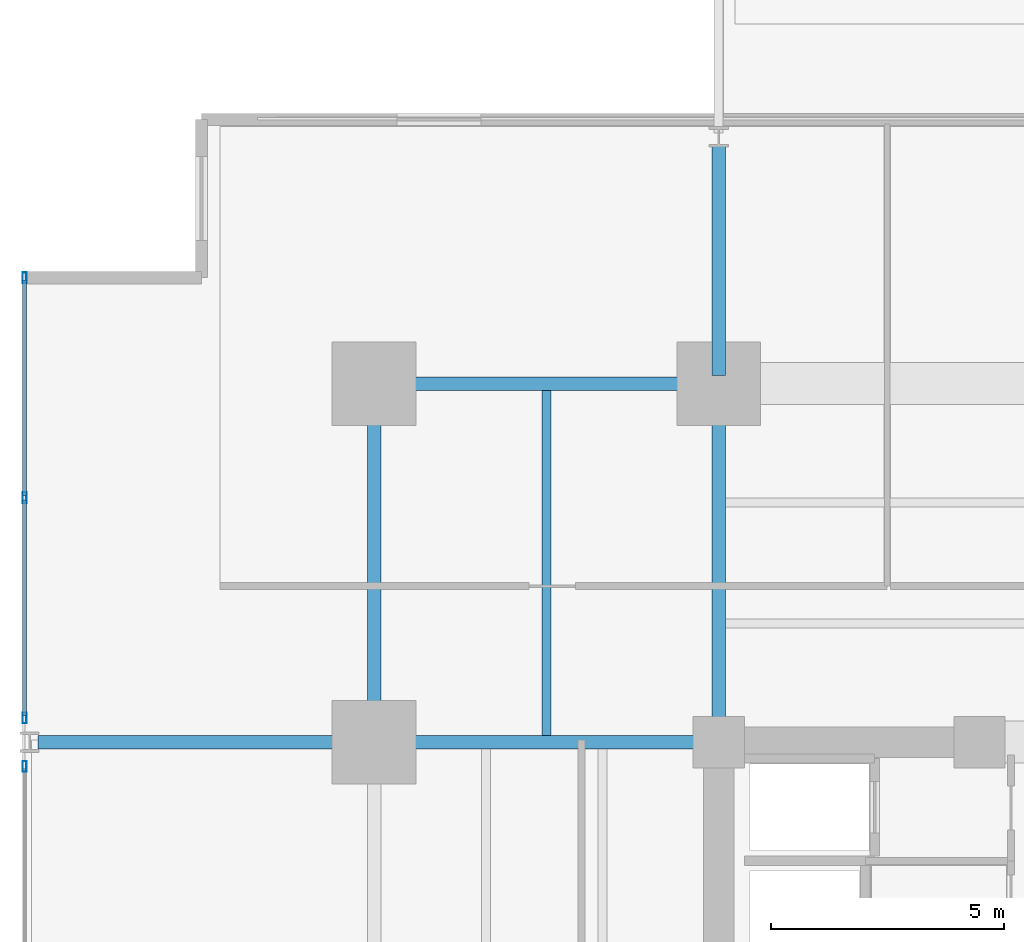
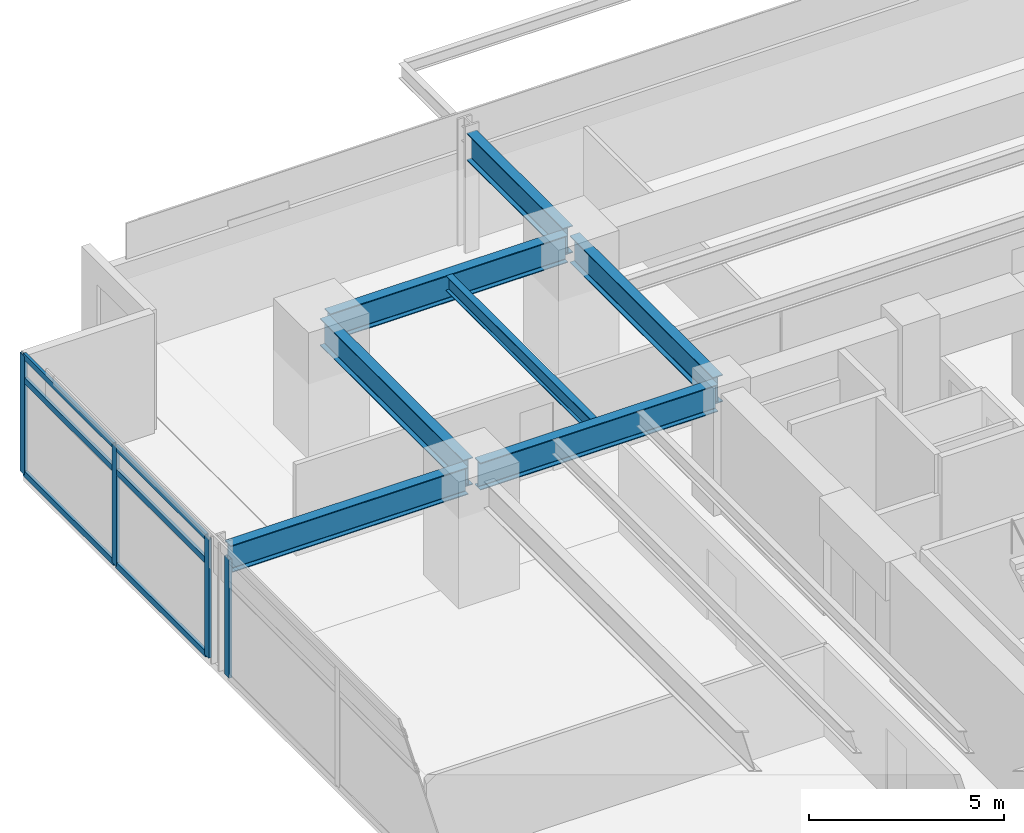
# One storey, part 11 of 23: 10 members, 7 beams, 2 elements without a shape of their own.
"""IFC4 building model written with IfcOpenShell, lengths in metres."""

from ifc_helpers import new_model, si_unit, direction, frame, origin, origin_2d, place, context, subcontext, project, spatial, hollow_rectangle, i_section, extrude, material, material_profile, profile_set, type_object, element, aggregate, save


model = new_model("IFC4")

# Units and contexts
model_context = context("Model", 3, precision=1e-05, world=origin(), true_north=direction((0.0, 1.0)))
body_context = subcontext(model_context, "Body", "Model", "MODEL_VIEW")
ifc_project = project(units=[si_unit("LENGTHUNIT", "METRE"), si_unit("AREAUNIT", "SQUARE_METRE"), si_unit("VOLUMEUNIT", "CUBIC_METRE"), si_unit("PLANEANGLEUNIT", "RADIAN"), si_unit("MASSUNIT", "GRAM", prefix="KILO")], contexts=[model_context])

# Site, building, storey
site_placement = place(None, origin())
site = spatial("IfcSite", under=ifc_project, at=site_placement, CompositionType="ELEMENT")
building_placement = place(site_placement, origin())
building = spatial("IfcBuilding", under=site, at=building_placement, Name="Kovane Verandah Tower", CompositionType="ELEMENT")
storey_placement = place(building_placement, frame((0.0, 0.0, 63.60009765625)))
storey = spatial("IfcBuildingStorey", under=building, at=storey_placement, Name="L14", CompositionType="ELEMENT", Elevation=63.60009765625)

# Beams
ifc_material_1 = material(Name="Steel S355", Category="steel")
ifc_material_profile_1 = material_profile(ifc_material_1, i_section(OverallWidth=0.293701171875, OverallDepth=0.850830078125, WebThickness=0.01611328125, FlangeThickness=0.02685546875, FilletRadius=0.017822265625, at=origin_2d()), Name="UB838x292x226")
ifc_profile_set_1 = profile_set([ifc_material_profile_1], Name="Steel S355")
beam_type_1 = type_object("IfcBeamType", Name="BM-UB838x226", PredefinedType="BEAM", material=ifc_profile_set_1)
beam_1_placement = place(storey_placement, frame((21.780029296875, 44.199951171875, 3.33447265625), z_axis=(1.0, 0.0, 0.0), x_axis=(0.0, 1.0, 0.0)))
element("IfcBeam", 1, at=beam_1_placement, inside=storey, type_object=beam_type_1, Name="L14 Primary Tower Girder G-RN1", PredefinedType="BEAM", context=body_context, shape_type="SweptSolid", body=[
    extrude(i_section(OverallWidth=0.293701171875, OverallDepth=0.850830078125, WebThickness=0.01611328125, FlangeThickness=0.02685546875, FilletRadius=0.017822265625, at=origin_2d()), origin(), (0.0, 0.0, 1.0), 7.0400390625),
])
beam_2_placement = place(storey_placement, frame((21.60009765625, 36.679931640625, 3.33447265625), z_axis=(0.0, 1.0, 0.0), x_axis=(-1.0, 0.0, 0.0)))
element("IfcBeam", 2, at=beam_2_placement, inside=storey, type_object=beam_type_1, Name="L14 Primary Tower Girder G-RW3", PredefinedType="BEAM", context=body_context, shape_type="SweptSolid", body=[
    extrude(i_section(OverallWidth=0.293701171875, OverallDepth=0.850830078125, WebThickness=0.01611328125, FlangeThickness=0.02685546875, FilletRadius=0.017822265625, at=origin_2d()), origin(), (0.0, 0.0, 1.0), 7.340087890625),
])
beam_3_placement = place(storey_placement, frame((28.820068359375, 36.5, 3.33447265625), z_axis=(-1.0, 0.0, 0.0), x_axis=(0.0, -1.0, 0.0)))
element("IfcBeam", 3, at=beam_3_placement, inside=storey, type_object=beam_type_1, Name="L14 Primary Tower Girder G-W2", PredefinedType="BEAM", context=body_context, shape_type="SweptSolid", body=[
    extrude(i_section(OverallWidth=0.293701171875, OverallDepth=0.850830078125, WebThickness=0.01611328125, FlangeThickness=0.02685546875, FilletRadius=0.017822265625, at=origin_2d()), origin(), (0.0, 0.0, 1.0), 7.0400390625),
])
beam_4_placement = place(storey_placement, frame((29.0, 36.679931640625, 3.33447265625), z_axis=(0.0, 1.0, 0.0), x_axis=(-1.0, 0.0, 0.0)))
element("IfcBeam", 4, at=beam_4_placement, inside=storey, type_object=beam_type_1, Name="L14 Primary Tower Girder G-N1", PredefinedType="BEAM", context=body_context, shape_type="SweptSolid", body=[
    extrude(i_section(OverallWidth=0.293701171875, OverallDepth=0.850830078125, WebThickness=0.01611328125, FlangeThickness=0.02685546875, FilletRadius=0.017822265625, at=origin_2d()), origin(), (0.0, 0.0, 1.0), 7.340087890625),
])
beam_5_placement = place(storey_placement, frame((21.419921875, 36.5, 3.33447265625), z_axis=(-1.0, 0.0, 0.0), x_axis=(0.0, -1.0, 0.0)))
element("IfcBeam", 5, at=beam_5_placement, inside=storey, type_object=beam_type_1, Name="L14 Primary Tower Girder G-VW2", PredefinedType="BEAM", context=body_context, shape_type="SweptSolid", body=[
    extrude(i_section(OverallWidth=0.293701171875, OverallDepth=0.850830078125, WebThickness=0.01611328125, FlangeThickness=0.02685546875, FilletRadius=0.017822265625, at=origin_2d()), origin(), (0.0, 0.0, 1.0), 7.0400390625),
])
beam_6_placement = place(storey_placement, frame((29.0, 44.3798828125, 3.33447265625), z_axis=(0.0, 1.0, 0.0), x_axis=(-1.0, 0.0, 0.0)))
element("IfcBeam", 6, at=beam_6_placement, inside=storey, type_object=beam_type_1, Name="L14 Primary Tower Girder G-VN1", PredefinedType="BEAM", context=body_context, shape_type="SweptSolid", body=[
    extrude(i_section(OverallWidth=0.293701171875, OverallDepth=0.850830078125, WebThickness=0.01611328125, FlangeThickness=0.02685546875, FilletRadius=0.017822265625, at=origin_2d()), origin(), (0.0, 0.0, 1.0), 4.940185546875),
])

# Curtain wall, members
ifc_material_2 = material(Name="Champagne Anodised Aluminium Frame with Low-E Clear Laminated Glass", Category="aluminium")
curtain_wall_type = type_object("IfcCurtainWallType", Name="CW-SYS-02-LOW", PredefinedType="NOTDEFINED", material=ifc_material_2)
curtain_wall_1_placement = place(storey_placement, origin())
curtain_wall_1 = element("IfcCurtainWall", 7, at=curtain_wall_1_placement, inside=storey, type_object=curtain_wall_type, Name="L14 W Unitised Curtain Wall-1", PredefinedType="NOTDEFINED")
ifc_material_3 = material(Name="Champagne Anodised Aluminium 6063-T6", Category="aluminium")
ifc_material_profile_2 = material_profile(ifc_material_3, hollow_rectangle(XDim=0.0849609375, YDim=0.22998046875, WallThickness=0.00390625, at=origin_2d()), Name="AL85x230x4")
ifc_profile_set_2 = profile_set([ifc_material_profile_2], Name="Champagne Anodised Aluminium 6063-T6")
member_type_1 = type_object("IfcMemberType", Name="CW-MUL-85x230", PredefinedType="MULLION", material=ifc_profile_set_2)
member_1_placement = place(storey_placement, frame((14.093017578125, 46.47509765625, 0.02001953125), z_axis=(0.0, 0.0, 1.0), x_axis=(-1.0, 0.0, 0.0)))
member_1 = element("IfcMember", 8, at=member_1_placement, type_object=member_type_1, Name="L14 W Unitised Curtain Wall-1 Mullion 1", PredefinedType="MULLION", context=body_context, shape_type="SweptSolid", body=[
    extrude(hollow_rectangle(XDim=0.0849609375, YDim=0.22998046875, WallThickness=0.00390625, at=origin_2d()), origin(), (0.0, 0.0, 1.0), 3.719970703125),
])
member_2_placement = place(storey_placement, frame((14.093017578125, 41.74755859375, 0.02001953125), z_axis=(0.0, 0.0, 1.0), x_axis=(-1.0, 0.0, 0.0)))
member_2 = element("IfcMember", 9, at=member_2_placement, type_object=member_type_1, Name="L14 W Unitised Curtain Wall-1 Mullion 2", PredefinedType="MULLION", context=body_context, shape_type="SweptSolid", body=[
    extrude(hollow_rectangle(XDim=0.0849609375, YDim=0.22998046875, WallThickness=0.00390625, at=origin_2d()), origin(), (0.0, 0.0, 1.0), 3.719970703125),
])
member_3_placement = place(storey_placement, frame((14.093017578125, 37.02001953125, 0.02001953125), z_axis=(0.0, 0.0, 1.0), x_axis=(-1.0, 0.0, 0.0)))
member_3 = element("IfcMember", 10, at=member_3_placement, type_object=member_type_1, Name="L14 W Unitised Curtain Wall-1 Mullion 3", PredefinedType="MULLION", context=body_context, shape_type="SweptSolid", body=[
    extrude(hollow_rectangle(XDim=0.0849609375, YDim=0.22998046875, WallThickness=0.00390625, at=origin_2d()), origin(), (0.0, 0.0, 1.0), 3.719970703125),
])

# Curtain wall, member
curtain_wall_2_placement = place(storey_placement, origin())
curtain_wall_2 = element("IfcCurtainWall", 11, at=curtain_wall_2_placement, inside=storey, type_object=curtain_wall_type, Name="L14 W Unitised Curtain Wall-2", PredefinedType="NOTDEFINED")
member_4_placement = place(storey_placement, frame((14.093017578125, 35.97998046875, 0.02001953125), z_axis=(0.0, 0.0, 1.0), x_axis=(-1.0, 0.0, 0.0)))
member_4 = element("IfcMember", 12, at=member_4_placement, type_object=member_type_1, Name="L14 W Unitised Curtain Wall-2 Mullion 1", PredefinedType="MULLION", context=body_context, shape_type="SweptSolid", body=[
    extrude(hollow_rectangle(XDim=0.0849609375, YDim=0.22998046875, WallThickness=0.00390625, at=origin_2d()), origin(), (0.0, 0.0, 1.0), 3.719970703125),
])
aggregate(curtain_wall_2, [member_4])

# Member
ifc_material_profile_3 = material_profile(ifc_material_3, hollow_rectangle(XDim=0.0849609375, YDim=0.18994140625, WallThickness=0.00390625, at=origin_2d()), Name="AL85x190x4")
ifc_profile_set_3 = profile_set([ifc_material_profile_3], Name="Champagne Anodised Aluminium 6063-T6")
member_type_2 = type_object("IfcMemberType", Name="CW-TRN-85x190", PredefinedType="USERDEFINED", material=ifc_profile_set_3)
member_5_placement = place(storey_placement, frame((14.093017578125, 46.425048828125, 0.0498046875), z_axis=(0.0, -1.0, 0.0), x_axis=(1.0, 0.0, 0.0)))
member_5 = element("IfcMember", 13, at=member_5_placement, type_object=member_type_2, Name="L14 W Unitised Curtain Wall-1 Transom TB Bay 1", ObjectType="TRANSOM", PredefinedType="USERDEFINED", context=body_context, shape_type="SweptSolid", body=[
    extrude(hollow_rectangle(XDim=0.0849609375, YDim=0.18994140625, WallThickness=0.00390625, at=origin_2d()), origin(), (0.0, 0.0, 1.0), 4.62744140625),
])

member_6_placement = place(storey_placement, frame((14.093017578125, 46.425048828125, 2.97998046875), z_axis=(0.0, -1.0, 0.0), x_axis=(1.0, 0.0, 0.0)))
member_6 = element("IfcMember", 14, at=member_6_placement, type_object=member_type_2, Name="L14 W Unitised Curtain Wall-1 Transom TM Bay 1", ObjectType="TRANSOM", PredefinedType="USERDEFINED", context=body_context, shape_type="SweptSolid", body=[
    extrude(hollow_rectangle(XDim=0.0849609375, YDim=0.18994140625, WallThickness=0.00390625, at=origin_2d()), origin(), (0.0, 0.0, 1.0), 4.62744140625),
])

member_7_placement = place(storey_placement, frame((14.093017578125, 46.425048828125, 3.7099609375), z_axis=(0.0, -1.0, 0.0), x_axis=(1.0, 0.0, 0.0)))
member_7 = element("IfcMember", 15, at=member_7_placement, type_object=member_type_2, Name="L14 W Unitised Curtain Wall-1 Transom TT Bay 1", ObjectType="TRANSOM", PredefinedType="USERDEFINED", context=body_context, shape_type="SweptSolid", body=[
    extrude(hollow_rectangle(XDim=0.0849609375, YDim=0.18994140625, WallThickness=0.00390625, at=origin_2d()), origin(), (0.0, 0.0, 1.0), 4.62744140625),
])

member_8_placement = place(storey_placement, frame((14.093017578125, 41.697509765625, 0.0498046875), z_axis=(0.0, -1.0, 0.0), x_axis=(1.0, 0.0, 0.0)))
member_8 = element("IfcMember", 16, at=member_8_placement, type_object=member_type_2, Name="L14 W Unitised Curtain Wall-1 Transom TB Bay 2", ObjectType="TRANSOM", PredefinedType="USERDEFINED", context=body_context, shape_type="SweptSolid", body=[
    extrude(hollow_rectangle(XDim=0.0849609375, YDim=0.18994140625, WallThickness=0.00390625, at=origin_2d()), origin(), (0.0, 0.0, 1.0), 4.62744140625),
])

member_9_placement = place(storey_placement, frame((14.093017578125, 41.697509765625, 2.97998046875), z_axis=(0.0, -1.0, 0.0), x_axis=(1.0, 0.0, 0.0)))
member_9 = element("IfcMember", 17, at=member_9_placement, type_object=member_type_2, Name="L14 W Unitised Curtain Wall-1 Transom TM Bay 2", ObjectType="TRANSOM", PredefinedType="USERDEFINED", context=body_context, shape_type="SweptSolid", body=[
    extrude(hollow_rectangle(XDim=0.0849609375, YDim=0.18994140625, WallThickness=0.00390625, at=origin_2d()), origin(), (0.0, 0.0, 1.0), 4.62744140625),
])

member_10_placement = place(storey_placement, frame((14.093017578125, 41.697509765625, 3.7099609375), z_axis=(0.0, -1.0, 0.0), x_axis=(1.0, 0.0, 0.0)))
member_10 = element("IfcMember", 18, at=member_10_placement, type_object=member_type_2, Name="L14 W Unitised Curtain Wall-1 Transom TT Bay 2", ObjectType="TRANSOM", PredefinedType="USERDEFINED", context=body_context, shape_type="SweptSolid", body=[
    extrude(hollow_rectangle(XDim=0.0849609375, YDim=0.18994140625, WallThickness=0.00390625, at=origin_2d()), origin(), (0.0, 0.0, 1.0), 4.62744140625),
])

aggregate(curtain_wall_1, [member_1, member_2, member_3, member_5, member_6, member_7, member_8, member_9, member_10])

# Beam
ifc_material_profile_4 = material_profile(ifc_material_1, i_section(OverallWidth=0.19287109375, OverallDepth=0.46728515625, WebThickness=0.011474609375, FlangeThickness=0.01953125, FilletRadius=0.01025390625, at=origin_2d()), Name="UB457x191x98")
ifc_profile_set_4 = profile_set([ifc_material_profile_4], Name="Steel S355")
beam_type_2 = type_object("IfcBeamType", Name="JST-UB457x98", PredefinedType="JOIST", material=ifc_profile_set_4)
beam_7_placement = place(storey_placement, frame((25.300048828125, 36.64501953125, 3.5263671875), z_axis=(0.0, 1.0, 0.0), x_axis=(-1.0, 0.0, 0.0)))
element("IfcBeam", 19, at=beam_7_placement, inside=storey, type_object=beam_type_2, Name="L14 Secondary Composite Joist J-NW1", PredefinedType="JOIST", context=body_context, shape_type="SweptSolid", body=[
    extrude(i_section(OverallWidth=0.19287109375, OverallDepth=0.46728515625, WebThickness=0.011474609375, FlangeThickness=0.01953125, FilletRadius=0.01025390625, at=origin_2d()), origin(), (0.0, 0.0, 1.0), 7.41015625),
])

save(model, "model.ifc")
